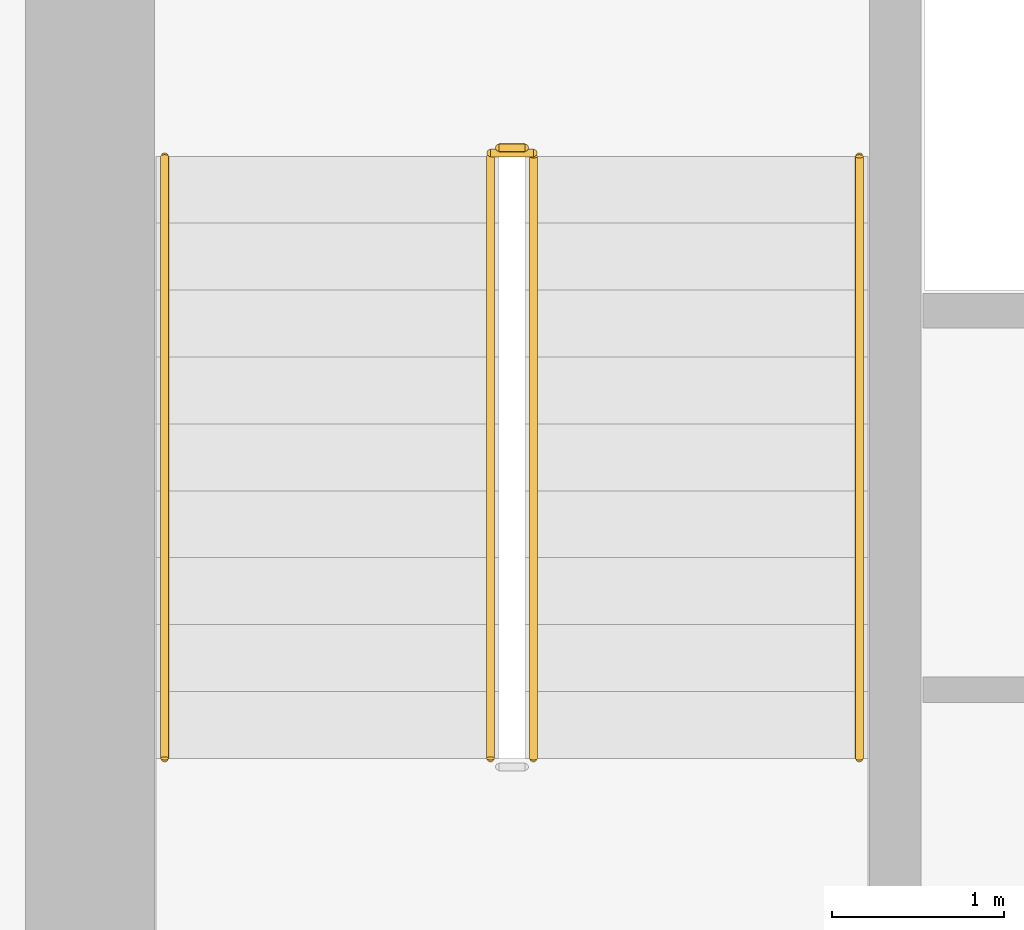
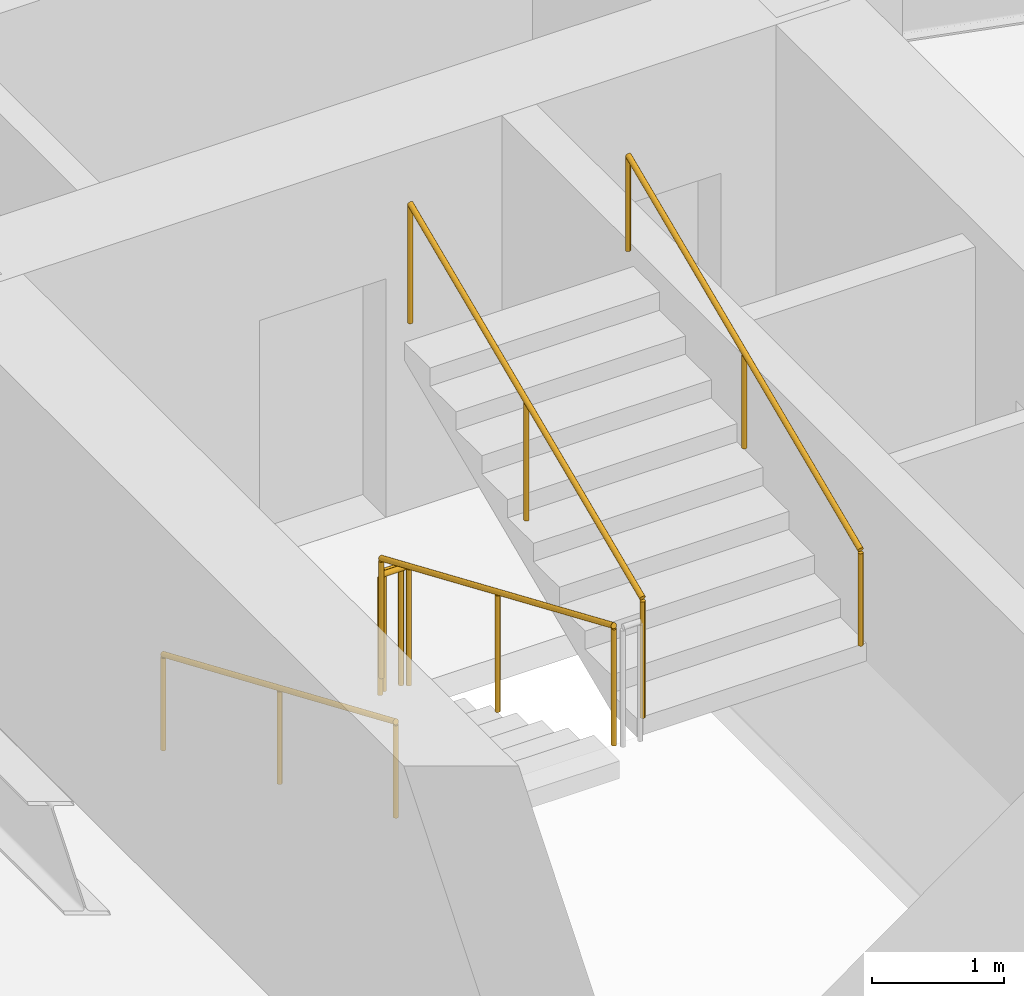
# One storey, part 33 of 37: 6 railings.
"""IFC4 building model written with IfcOpenShell, lengths in metres."""

import ifcopenshell
import ifcopenshell.guid

model = None  # the IFC model being written
_history = None  # IfcOwnerHistory: only IFC2X3 demands one
_inside = {}  # id of a spatial element -> (the spatial element, [elements in it])
_under = {}  # id of a project, library or spatial element -> (it, [spatial elements below it])
_declared = {}  # id of a project -> (the project, [libraries it declares])
_typed = {}  # id of a type object -> (the type object, [elements of that type])
_made_of = {}  # id of a material, layer set ... -> (it, [elements and type objects made of it])


def new_model(schema):
    """Start an empty IFC model of exactly this schema.

    Asked for "IFC4X3", IfcOpenShell would pick the latest addendum, in which some entities
    have other attributes; the version numbers below select the first issue.
    IFC2X3 requires an IfcOwnerHistory on every rooted entity: one is made here for all.
    """
    global model, _history
    if schema == "IFC4X3":
        model = ifcopenshell.file(schema_version=(4, 3, 0, 0))
    else:
        model = ifcopenshell.file(schema=schema)
    _inside.clear()
    _under.clear()
    _declared.clear()
    _typed.clear()
    _made_of.clear()
    _history = None
    if model.schema == "IFC2X3":
        org = make("IfcOrganization", Name="unknown")
        user = make(
            "IfcPersonAndOrganization",
            ThePerson=make("IfcPerson", FamilyName="unknown"),
            TheOrganization=org,
        )
        app = make(
            "IfcApplication",
            ApplicationDeveloper=org,
            Version="unknown",
            ApplicationFullName="unknown",
            ApplicationIdentifier="unknown",
        )
        _history = make(
            "IfcOwnerHistory",
            OwningUser=user,
            OwningApplication=app,
            ChangeAction="ADDED",
            CreationDate=0,
        )
    return model


def make(cls, **values):
    """One entity of the class cls with the attributes given. An attribute that is None is left unset."""
    return model.create_entity(
        cls, **{name: value for name, value in values.items() if value is not None}
    )


def rooted(cls, **values):
    """An entity with a GlobalId (a new one), such as an element, a storey or a relation."""
    return make(cls, GlobalId=ifcopenshell.guid.new(), OwnerHistory=_history, **values)


def si_unit(unit_type, name, prefix=None):
    """IfcSIUnit, for example si_unit("LENGTHUNIT", "METRE", prefix="MILLI")."""
    return make("IfcSIUnit", UnitType=unit_type, Prefix=prefix, Name=name)


def assignment(units):
    """IfcUnitAssignment: the units of a project."""
    return None if units is None else make("IfcUnitAssignment", Units=units)


def point(xyz):
    """IfcCartesianPoint."""
    return None if xyz is None else make("IfcCartesianPoint", Coordinates=xyz)


def direction(xyz):
    """IfcDirection."""
    return None if xyz is None else make("IfcDirection", DirectionRatios=xyz)


def frame(location, z_axis=None, x_axis=None):
    """IfcAxis2Placement3D, a coordinate frame: its origin and axes. An axis left out is left unset."""
    return make(
        "IfcAxis2Placement3D",
        Location=point(location),
        Axis=direction(z_axis),
        RefDirection=direction(x_axis),
    )


def frame_2d(location, x_axis=None):
    """IfcAxis2Placement2D, a coordinate frame in the plane: its origin and x axis."""
    return make(
        "IfcAxis2Placement2D", Location=point(location), RefDirection=direction(x_axis)
    )


def origin():
    """The frame at (0, 0, 0) with its axes left unset."""
    return frame((0.0, 0.0, 0.0))


def origin_2d():
    """The frame at (0, 0) in the plane with its x axis left unset."""
    return frame_2d((0.0, 0.0))


def place(relative_to, where):
    """IfcLocalPlacement: puts the frame where relative to a parent placement (None: the world)."""
    return make(
        "IfcLocalPlacement", PlacementRelTo=relative_to, RelativePlacement=where
    )


def context(
    kind, dimensions, precision=None, world=None, true_north=None, identifier=None
):
    """IfcGeometricRepresentationContext, for example the 3D "Model" context."""
    return make(
        "IfcGeometricRepresentationContext",
        ContextIdentifier=identifier,
        ContextType=kind,
        CoordinateSpaceDimension=dimensions,
        Precision=precision,
        WorldCoordinateSystem=world,
        TrueNorth=true_north,
    )


def subcontext(parent, identifier, kind, view, scale=None):
    """IfcGeometricRepresentationSubContext, for example "Body" below "Model"."""
    return make(
        "IfcGeometricRepresentationSubContext",
        ContextIdentifier=identifier,
        ContextType=kind,
        ParentContext=parent,
        TargetScale=scale,
        TargetView=view,
    )


def project(units=None, contexts=None):
    """IfcProject with its units and contexts."""
    return rooted(
        "IfcProject",
        Name="project",
        RepresentationContexts=contexts,
        UnitsInContext=assignment(units),
    )


def spatial(cls, under=None, at=None, **own):
    """A site, building, storey or space (cls), placed at a placement, below another one or the project."""
    s = rooted(cls, ObjectPlacement=at, **own)
    if under is not None:
        _under.setdefault(under.id(), (under, []))[1].append(s)
    return s


def profile(cls, at=None, kind="AREA", **sizes):
    """A parametric profile (cls). Its sizes go by their IFC names, for example OverallWidth=200.0."""
    return make(cls, ProfileType=kind, Position=at, **sizes)


def circle(**sizes):
    """IfcCircleProfileDef."""
    return profile("IfcCircleProfileDef", **sizes)


def extrude(swept, where, along, depth):
    """IfcExtrudedAreaSolid: the profile swept, set in the frame where, extruded along a direction by depth."""
    return make(
        "IfcExtrudedAreaSolid",
        SweptArea=swept,
        Position=where,
        ExtrudedDirection=direction(along),
        Depth=depth,
    )


def shape(context_of_items, identifier, shape_type, items):
    """IfcShapeRepresentation: the items that make up one representation, for example the "Body"."""
    return make(
        "IfcShapeRepresentation",
        ContextOfItems=context_of_items,
        RepresentationIdentifier=identifier,
        RepresentationType=shape_type,
        Items=items,
    )


def material(Name=None, Category=None):
    """IfcMaterial."""
    return make("IfcMaterial", Name=Name, Category=Category)


def layer(
    of_material, thickness, ventilated=None, Name=None, Category=None, Priority=None
):
    """IfcMaterialLayer: one layer of a wall or slab, of a material (None: an air gap)."""
    return make(
        "IfcMaterialLayer",
        Material=of_material,
        LayerThickness=thickness,
        IsVentilated=ventilated,
        Name=Name,
        Category=Category,
        Priority=Priority,
    )


def layer_set(layers, Name=None):
    """IfcMaterialLayerSet."""
    return make("IfcMaterialLayerSet", MaterialLayers=layers, LayerSetName=Name)


def made_of(thing, what):
    """Note that an element or type object is made of a material, layer set ...; save() writes the relation."""
    if what is not None:
        _made_of.setdefault(what.id(), (what, []))[1].append(thing)
    return thing


def type_object(cls, material=None, **own):
    """A type object (cls), such as IfcWallType, which elements share."""
    return made_of(rooted(cls, **own), material)


def element(
    cls,
    number,
    at=None,
    inside=None,
    cuts=None,
    type_object=None,
    material=None,
    context=None,
    identifier="Body",
    shape_type=None,
    held_by="IfcProductDefinitionShape",
    body=None,
    shapes=None,
    **own,
):
    """One element of the class cls, such as IfcWall. Its Tag is "e" and its number.

    at: its placement. inside: the storey or other place that contains it. cuts: it is an
    opening in that element (IfcRelVoidsElement). A single representation is given by context,
    identifier, shape_type and body (its items); several are given by shapes. held_by: the class
    of the entity that holds the representations. save() writes the other relations.
    """
    e = rooted(cls, Tag="e%d" % number, ObjectPlacement=at, **own)
    if body is not None:
        shapes = [shape(context, identifier, shape_type, body)]
    if shapes is not None:
        e.Representation = make(held_by, Representations=shapes)
    if inside is not None:
        _inside.setdefault(inside.id(), (inside, []))[1].append(e)
    if cuts is not None:
        rooted(
            "IfcRelVoidsElement", RelatingBuildingElement=cuts, RelatedOpeningElement=e
        )
    if type_object is not None:
        _typed.setdefault(type_object.id(), (type_object, []))[1].append(e)
    return made_of(e, material)


def aggregate(whole, parts):
    """IfcRelAggregates: a whole, such as a stair, and the parts it consists of."""
    return rooted("IfcRelAggregates", RelatingObject=whole, RelatedObjects=parts)


def save(model, path):
    """Write the relations noted so far, then the file.

    IfcRelAggregates (storeys below a building ...), IfcRelContainedInSpatialStructure (elements
    in a storey), IfcRelDefinesByType, IfcRelAssociatesMaterial and IfcRelDeclares: one each for
    every whole, place, type object, material and project.
    """
    for whole, parts in _under.values():
        aggregate(whole, parts)
    for where, things in _inside.values():
        rooted(
            "IfcRelContainedInSpatialStructure",
            RelatedElements=things,
            RelatingStructure=where,
        )
    for kind, things in _typed.values():
        rooted("IfcRelDefinesByType", RelatedObjects=things, RelatingType=kind)
    for what, things in _made_of.values():
        rooted("IfcRelAssociatesMaterial", RelatedObjects=things, RelatingMaterial=what)
    for by, libraries in _declared.values():
        rooted("IfcRelDeclares", RelatingContext=by, RelatedDefinitions=libraries)
    model.write(path)


model = new_model("IFC4")

# Units and contexts
model_context = context("Model", 3, precision=1e-05, world=origin(), true_north=direction((0.0, 1.0)))
body_context = subcontext(model_context, "Body", "Model", "MODEL_VIEW")
ifc_project = project(units=[si_unit("LENGTHUNIT", "METRE"), si_unit("AREAUNIT", "SQUARE_METRE"), si_unit("VOLUMEUNIT", "CUBIC_METRE"), si_unit("PLANEANGLEUNIT", "RADIAN"), si_unit("MASSUNIT", "GRAM", prefix="KILO")], contexts=[model_context])

# Site, building, storey
site_placement = place(None, origin())
site = spatial("IfcSite", under=ifc_project, at=site_placement, CompositionType="ELEMENT")
building_placement = place(site_placement, origin())
building = spatial("IfcBuilding", under=site, at=building_placement, Name="Hatsunagi Terrace Concourse", CompositionType="ELEMENT")
storey_placement = place(building_placement, frame((0.0, 0.0, 50.0)))
storey = spatial("IfcBuildingStorey", under=building, at=storey_placement, Name="L12", CompositionType="ELEMENT", Elevation=50.0)

# Railings
ifc_material_1 = material(Name="Stainless steel", Category="steel")
ifc_layer_1 = layer(ifc_material_1, 0.044921875)
ifc_layer_set_1 = layer_set([ifc_layer_1], Name="StairPitchHandrail_Tower2000")
railing_type_1 = type_object("IfcRailingType", Name="StairPitchHandrail_Tower2000", PredefinedType="HANDRAIL", material=ifc_layer_set_1)
railing_1_placement = place(storey_placement, frame((36.550048828125, 32.659912109375, 0.16748046875)))
element("IfcRailing", 1, at=railing_1_placement, inside=storey, type_object=railing_type_1, Name="L12 ST-B stair handrail 1", PredefinedType="HANDRAIL", context=body_context, shape_type="SweptSolid", body=[
    extrude(circle(Radius=0.02392578125, at=origin_2d()), frame((0.0, 0.0, 0.8759765625), z_axis=(0.0, -0.918834009242, 0.394644223904), x_axis=(1.0, 0.0, 0.0)), (0.0, 0.0, 1.0), 3.820068359375),
    extrude(circle(Radius=0.02099609375, at=origin_2d()), origin(), (0.0, 0.0, 1.0), 0.851806640625),
    extrude(circle(Radius=0.02099609375, at=origin_2d()), frame((0.0, -1.7548828125, 0.75390625)), (0.0, 0.0, 1.0), 0.851806640625),
    extrude(circle(Radius=0.02099609375, at=origin_2d()), frame((0.0, -3.510009765625, 1.507568359375)), (0.0, 0.0, 1.0), 0.851806640625),
])
railing_2_placement = place(storey_placement, frame((40.60009765625, 29.14990234375, 1.842529296875)))
element("IfcRailing", 2, at=railing_2_placement, inside=storey, type_object=railing_type_1, Name="L12 ST-B stair handrail 2", PredefinedType="HANDRAIL", context=body_context, shape_type="SweptSolid", body=[
    extrude(circle(Radius=0.02392578125, at=origin_2d()), frame((0.0, 0.0, 0.8759765625), z_axis=(0.0, 0.918834009242, 0.394644223904), x_axis=(-1.0, 0.0, 0.0)), (0.0, 0.0, 1.0), 3.820068359375),
    extrude(circle(Radius=0.02099609375, at=origin_2d()), origin(), (0.0, 0.0, 1.0), 0.851806640625),
    extrude(circle(Radius=0.02099609375, at=origin_2d()), frame((0.0, 1.7548828125, 0.75390625)), (0.0, 0.0, 1.0), 0.851806640625),
    extrude(circle(Radius=0.02099609375, at=origin_2d()), frame((0.0, 3.510009765625, 1.507568359375)), (0.0, 0.0, 1.0), 0.851806640625),
])
ifc_material_2 = material(Name="Stainless steel", Category="steel")
ifc_layer_2 = layer(ifc_material_2, 0.06005859375)
ifc_layer_set_2 = layer_set([ifc_layer_2], Name="StairWellGuard_Tower2000")
railing_type_2 = type_object("IfcRailingType", Name="StairWellGuard_Tower2000", PredefinedType="BALUSTRADE", material=ifc_layer_set_2)
railing_3_placement = place(storey_placement, frame((38.449951171875, 32.659912109375, 0.16748046875)))
element("IfcRailing", 3, at=railing_3_placement, inside=storey, type_object=railing_type_2, Name="L12 ST-B stair guard 1", PredefinedType="BALUSTRADE", context=body_context, shape_type="SweptSolid", body=[
    extrude(circle(Radius=0.02392578125, at=origin_2d()), frame((0.0, 0.0, 1.09619140625), z_axis=(0.0, -0.918834009242, 0.394644223904), x_axis=(1.0, 0.0, 0.0)), (0.0, 0.0, 1.0), 3.820068359375),
    extrude(circle(Radius=0.02099609375, at=origin_2d()), origin(), (0.0, 0.0, 1.0), 1.072021484375),
    extrude(circle(Radius=0.02099609375, at=origin_2d()), frame((0.0, -1.7548828125, 0.75390625)), (0.0, 0.0, 1.0), 1.072021484375),
    extrude(circle(Radius=0.02099609375, at=origin_2d()), frame((0.0, -3.510009765625, 1.507568359375)), (0.0, 0.0, 1.0), 1.072021484375),
])
railing_4_placement = place(storey_placement, frame((38.699951171875, 29.14990234375, 1.842529296875)))
element("IfcRailing", 4, at=railing_4_placement, inside=storey, type_object=railing_type_2, Name="L12 ST-B stair guard 3", PredefinedType="BALUSTRADE", context=body_context, shape_type="SweptSolid", body=[
    extrude(circle(Radius=0.02392578125, at=origin_2d()), frame((0.0, 0.0, 1.09619140625), z_axis=(0.0, 0.918834009242, 0.394644223904), x_axis=(-1.0, 0.0, 0.0)), (0.0, 0.0, 1.0), 3.820068359375),
    extrude(circle(Radius=0.02099609375, at=origin_2d()), origin(), (0.0, 0.0, 1.0), 1.072021484375),
    extrude(circle(Radius=0.02099609375, at=origin_2d()), frame((0.0, 1.7548828125, 0.75390625)), (0.0, 0.0, 1.0), 1.072021484375),
    extrude(circle(Radius=0.02099609375, at=origin_2d()), frame((0.0, 3.510009765625, 1.507568359375)), (0.0, 0.0, 1.0), 1.072021484375),
])
railing_5_placement = place(storey_placement, frame((38.5, 32.7099609375, 0.0)))
element("IfcRailing", 5, at=railing_5_placement, inside=storey, type_object=railing_type_2, Name="L12 ST-B stair guard 4", PredefinedType="BALUSTRADE", context=body_context, shape_type="SweptSolid", body=[
    extrude(circle(Radius=0.02392578125, at=origin_2d()), frame((0.0, 0.0, 1.09619140625), z_axis=(1.0, 0.0, 0.0), x_axis=(0.0, 1.0, 0.0)), (0.0, 0.0, 1.0), 0.14990234375),
    extrude(circle(Radius=0.02099609375, at=origin_2d()), origin(), (0.0, 0.0, 1.0), 1.072021484375),
    extrude(circle(Radius=0.02099609375, at=origin_2d()), frame((0.14990234375, 0.0, 0.0)), (0.0, 0.0, 1.0), 1.072021484375),
])
ifc_material_3 = material(Name="Stainless Steel SUS316 Post-and-Rail Guard", Category="steel")
ifc_layer_3 = layer(ifc_material_3, 0.080078125)
ifc_layer_set_3 = layer_set([ifc_layer_3], Name="TerracePlantedGuardRail_1200")
railing_type_3 = type_object("IfcRailingType", Name="TerracePlantedGuardRail_1200", PredefinedType="GUARDRAIL", material=ifc_layer_set_3)
railing_6_placement = place(storey_placement, frame((38.449951171875, 32.679931640625, 0.0)))
element("IfcRailing", 6, at=railing_6_placement, inside=storey, type_object=railing_type_3, Name="Stair ST-B Well Closure Guard L12", PredefinedType="GUARDRAIL", context=body_context, shape_type="SweptSolid", body=[
    extrude(circle(Radius=0.02392578125, at=origin_2d()), frame((0.0, 0.0, 1.09619140625), z_axis=(1.0, 0.0, 0.0), x_axis=(0.0, 1.0, 0.0)), (0.0, 0.0, 1.0), 0.25),
    extrude(circle(Radius=0.02099609375, at=origin_2d()), origin(), (0.0, 0.0, 1.0), 1.072021484375),
    extrude(circle(Radius=0.02099609375, at=origin_2d()), frame((0.25, 0.0, 0.0)), (0.0, 0.0, 1.0), 1.072021484375),
])

save(model, "model.ifc")
